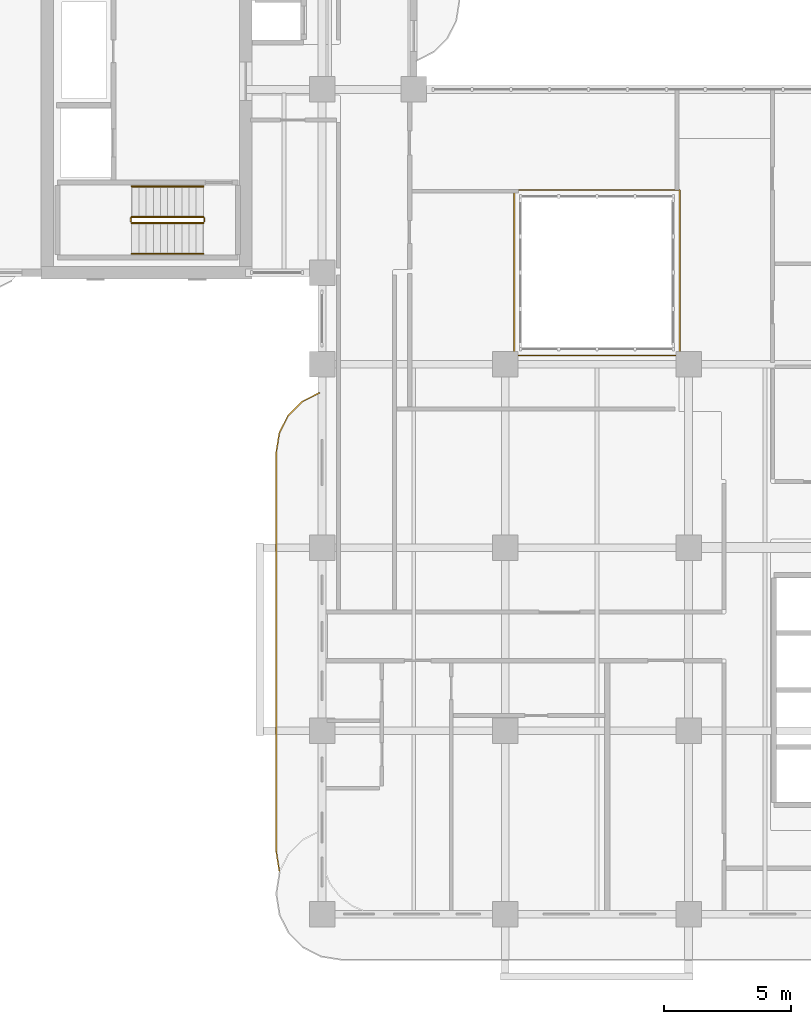
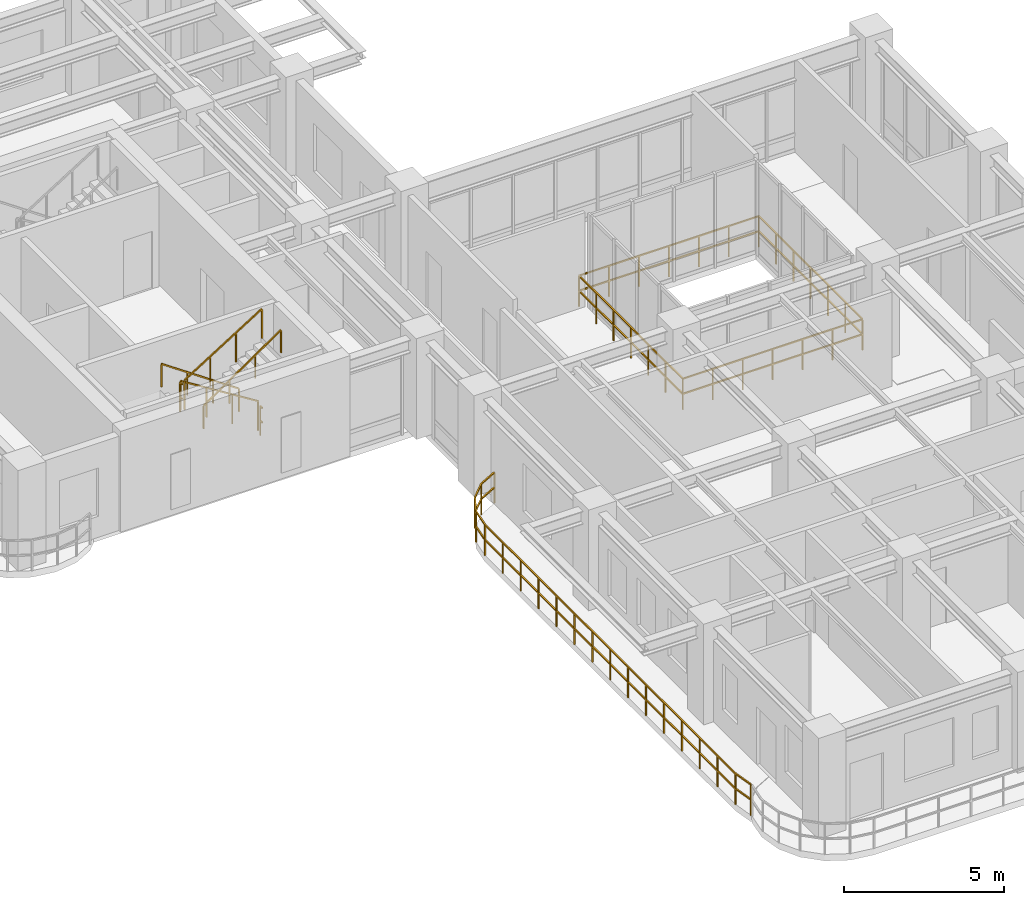
# One storey, part 16 of 19: 8 railings.
"""IFC4 building model written with IfcOpenShell, lengths in metres."""

from ifc_helpers import new_model, si_unit, derived_unit, direction, frame, origin, origin_2d, place, context, subcontext, project, spatial, rectangle, extrude, material, type_object, element, save


model = new_model("IFC4")

# Units and contexts
model_context = context("Model", 3, precision=1e-05, world=origin(), true_north=direction((0.0, 1.0)))
body_context = subcontext(model_context, "Body", "Model", "MODEL_VIEW")
ifc_project = project(units=[si_unit("LENGTHUNIT", "METRE"), si_unit("AREAUNIT", "SQUARE_METRE"), si_unit("VOLUMEUNIT", "CUBIC_METRE"), si_unit("PLANEANGLEUNIT", "RADIAN"), si_unit("MASSUNIT", "GRAM", prefix="KILO"), si_unit("THERMODYNAMICTEMPERATUREUNIT", "KELVIN"), si_unit("POWERUNIT", "WATT"), derived_unit("THERMALTRANSMITTANCEUNIT", [(si_unit("POWERUNIT", "WATT"), 1), (si_unit("AREAUNIT", "SQUARE_METRE"), -1), (si_unit("THERMODYNAMICTEMPERATUREUNIT", "KELVIN"), -1)])], contexts=[model_context])

# Site, building, storey
site_placement = place(None, origin())
site = spatial("IfcSite", under=ifc_project, at=site_placement, CompositionType="ELEMENT")
building_placement = place(site_placement, origin())
building = spatial("IfcBuilding", under=site, at=building_placement, Name="Zahravan Archway Hotel and Residences", CompositionType="ELEMENT")
storey_placement = place(building_placement, frame((0.0, 0.0, 150.300048828125)))
storey = spatial("IfcBuildingStorey", under=building, at=storey_placement, Name="L37", CompositionType="ELEMENT", Elevation=150.300048828125)

# Railings
ifc_material_1 = material(Name="Atrium Laminated Glass Guardrail", Category="glass")
railing_type_1 = type_object("IfcRailingType", Name="RL-ATR-1200", PredefinedType="BALUSTRADE", material=ifc_material_1)
railing_1_placement = place(storey_placement, frame((21.949951171875, 21.949951171875, 0.0)))
element("IfcRailing", 1, at=railing_1_placement, inside=storey, type_object=railing_type_1, Name="L37 Balustrade RL-ATR-L37", PredefinedType="BALUSTRADE", context=body_context, shape_type="SweptSolid", body=[
    extrude(rectangle(XDim=0.048095703125, YDim=0.048095703125, at=origin_2d()), frame((0.0, 0.0, 1.17578125), z_axis=(1.0, 0.0, 0.0), x_axis=(0.0, 1.0, 0.0)), (0.0, 0.0, 1.0), 6.5),
    extrude(rectangle(XDim=0.048095703125, YDim=0.048095703125, at=origin_2d()), frame((0.0, 0.0, 0.60009765625), z_axis=(1.0, 0.0, 0.0), x_axis=(0.0, 1.0, 0.0)), (0.0, 0.0, 1.0), 6.5),
    extrude(rectangle(XDim=0.048095703125, YDim=0.048095703125, at=origin_2d()), frame((6.5, 0.0, 1.17578125), z_axis=(0.0, 1.0, 0.0), x_axis=(-1.0, 0.0, 0.0)), (0.0, 0.0, 1.0), 6.5),
    extrude(rectangle(XDim=0.048095703125, YDim=0.048095703125, at=origin_2d()), frame((6.5, 0.0, 0.60009765625), z_axis=(0.0, 1.0, 0.0), x_axis=(-1.0, 0.0, 0.0)), (0.0, 0.0, 1.0), 6.5),
    extrude(rectangle(XDim=0.048095703125, YDim=0.048095703125, at=origin_2d()), frame((6.5, 6.5, 1.17578125), z_axis=(-1.0, 0.0, 0.0), x_axis=(0.0, -1.0, 0.0)), (0.0, 0.0, 1.0), 6.5),
    extrude(rectangle(XDim=0.048095703125, YDim=0.048095703125, at=origin_2d()), frame((6.5, 6.5, 0.60009765625), z_axis=(-1.0, 0.0, 0.0), x_axis=(0.0, -1.0, 0.0)), (0.0, 0.0, 1.0), 6.5),
    extrude(rectangle(XDim=0.048095703125, YDim=0.048095703125, at=origin_2d()), frame((0.0, 6.5, 1.17578125), z_axis=(0.0, -1.0, 0.0), x_axis=(1.0, 0.0, 0.0)), (0.0, 0.0, 1.0), 6.5),
    extrude(rectangle(XDim=0.048095703125, YDim=0.048095703125, at=origin_2d()), frame((0.0, 6.5, 0.60009765625), z_axis=(0.0, -1.0, 0.0), x_axis=(1.0, 0.0, 0.0)), (0.0, 0.0, 1.0), 6.5),
    extrude(rectangle(XDim=0.0419921875, YDim=0.0419921875, at=origin_2d()), origin(), (0.0, 0.0, 1.0), 1.15185546875),
    extrude(rectangle(XDim=0.0419921875, YDim=0.0419921875, at=origin_2d()), frame((1.083251953125, 0.0, 0.0)), (0.0, 0.0, 1.0), 1.15185546875),
    extrude(rectangle(XDim=0.0419921875, YDim=0.0419921875, at=origin_2d()), frame((2.166748046875, 0.0, 0.0)), (0.0, 0.0, 1.0), 1.15185546875),
    extrude(rectangle(XDim=0.0419921875, YDim=0.0419921875, at=origin_2d()), frame((3.25, 0.0, 0.0)), (0.0, 0.0, 1.0), 1.15185546875),
    extrude(rectangle(XDim=0.0419921875, YDim=0.0419921875, at=origin_2d()), frame((4.333251953125, 0.0, 0.0)), (0.0, 0.0, 1.0), 1.15185546875),
    extrude(rectangle(XDim=0.0419921875, YDim=0.0419921875, at=origin_2d()), frame((5.416748046875, 0.0, 0.0)), (0.0, 0.0, 1.0), 1.15185546875),
    extrude(rectangle(XDim=0.0419921875, YDim=0.0419921875, at=origin_2d()), frame((6.5, 0.0, 0.0)), (0.0, 0.0, 1.0), 1.15185546875),
    extrude(rectangle(XDim=0.0419921875, YDim=0.0419921875, at=origin_2d()), frame((6.5, 1.083251953125, 0.0)), (0.0, 0.0, 1.0), 1.15185546875),
    extrude(rectangle(XDim=0.0419921875, YDim=0.0419921875, at=origin_2d()), frame((6.5, 2.166748046875, 0.0)), (0.0, 0.0, 1.0), 1.15185546875),
    extrude(rectangle(XDim=0.0419921875, YDim=0.0419921875, at=origin_2d()), frame((6.5, 3.25, 0.0)), (0.0, 0.0, 1.0), 1.15185546875),
    extrude(rectangle(XDim=0.0419921875, YDim=0.0419921875, at=origin_2d()), frame((6.5, 4.333251953125, 0.0)), (0.0, 0.0, 1.0), 1.15185546875),
    extrude(rectangle(XDim=0.0419921875, YDim=0.0419921875, at=origin_2d()), frame((6.5, 5.416748046875, 0.0)), (0.0, 0.0, 1.0), 1.15185546875),
    extrude(rectangle(XDim=0.0419921875, YDim=0.0419921875, at=origin_2d()), frame((6.5, 6.5, 0.0)), (0.0, 0.0, 1.0), 1.15185546875),
    extrude(rectangle(XDim=0.0419921875, YDim=0.0419921875, at=origin_2d()), frame((5.416748046875, 6.5, 0.0)), (0.0, 0.0, 1.0), 1.15185546875),
    extrude(rectangle(XDim=0.0419921875, YDim=0.0419921875, at=origin_2d()), frame((4.333251953125, 6.5, 0.0)), (0.0, 0.0, 1.0), 1.15185546875),
    extrude(rectangle(XDim=0.0419921875, YDim=0.0419921875, at=origin_2d()), frame((3.25, 6.5, 0.0)), (0.0, 0.0, 1.0), 1.15185546875),
    extrude(rectangle(XDim=0.0419921875, YDim=0.0419921875, at=origin_2d()), frame((2.166748046875, 6.5, 0.0)), (0.0, 0.0, 1.0), 1.15185546875),
    extrude(rectangle(XDim=0.0419921875, YDim=0.0419921875, at=origin_2d()), frame((1.083251953125, 6.5, 0.0)), (0.0, 0.0, 1.0), 1.15185546875),
    extrude(rectangle(XDim=0.0419921875, YDim=0.0419921875, at=origin_2d()), frame((0.0, 6.5, 0.0)), (0.0, 0.0, 1.0), 1.15185546875),
    extrude(rectangle(XDim=0.0419921875, YDim=0.0419921875, at=origin_2d()), frame((0.0, 5.416748046875, 0.0)), (0.0, 0.0, 1.0), 1.15185546875),
    extrude(rectangle(XDim=0.0419921875, YDim=0.0419921875, at=origin_2d()), frame((0.0, 4.333251953125, 0.0)), (0.0, 0.0, 1.0), 1.15185546875),
    extrude(rectangle(XDim=0.0419921875, YDim=0.0419921875, at=origin_2d()), frame((0.0, 3.25, 0.0)), (0.0, 0.0, 1.0), 1.15185546875),
    extrude(rectangle(XDim=0.0419921875, YDim=0.0419921875, at=origin_2d()), frame((0.0, 2.166748046875, 0.0)), (0.0, 0.0, 1.0), 1.15185546875),
    extrude(rectangle(XDim=0.0419921875, YDim=0.0419921875, at=origin_2d()), frame((0.0, 1.083251953125, 0.0)), (0.0, 0.0, 1.0), 1.15185546875),
])
ifc_material_2 = material(Name="Bronze & Laminated Glass Balustrade", Category="glass")
railing_type_2 = type_object("IfcRailingType", Name="RL-BAL-1200", PredefinedType="BALUSTRADE", material=ifc_material_2)
railing_2_placement = place(storey_placement, frame((12.719970703125, 1.69287109375, 0.0)))
element("IfcRailing", 2, at=railing_2_placement, inside=storey, type_object=railing_type_2, Name="L37 Balustrade RL-SLB-BAL-L37-WA-1", PredefinedType="BALUSTRADE", context=body_context, shape_type="SweptSolid", body=[
    extrude(rectangle(XDim=0.048095703125, YDim=0.048095703125, at=origin_2d()), frame((0.0, 0.0, 1.17578125), z_axis=(-0.156387811283, 0.987695728695, 0.0), x_axis=(-0.987695728695, -0.156387811283, 0.0)), (0.0, 0.0, 1.0), 0.7666015625),
    extrude(rectangle(XDim=0.048095703125, YDim=0.048095703125, at=origin_2d()), frame((0.0, 0.0, 0.60009765625), z_axis=(-0.156387811283, 0.987695728695, 0.0), x_axis=(-0.987695728695, -0.156387811283, 0.0)), (0.0, 0.0, 1.0), 0.7666015625),
    extrude(rectangle(XDim=0.048095703125, YDim=0.048095703125, at=origin_2d()), frame((-0.119873046875, 0.757080078125, 1.17578125), z_axis=(0.0, 1.0, 0.0), x_axis=(-1.0, 0.0, 0.0)), (0.0, 0.0, 1.0), 15.699951171875),
    extrude(rectangle(XDim=0.048095703125, YDim=0.048095703125, at=origin_2d()), frame((-0.119873046875, 0.757080078125, 0.60009765625), z_axis=(0.0, 1.0, 0.0), x_axis=(-1.0, 0.0, 0.0)), (0.0, 0.0, 1.0), 15.699951171875),
    extrude(rectangle(XDim=0.048095703125, YDim=0.048095703125, at=origin_2d()), frame((-0.119873046875, 16.45703125, 1.17578125), z_axis=(0.156387811283, 0.987695728695, 0.0), x_axis=(-0.987695728695, 0.156387811283, 0.0)), (0.0, 0.0, 1.0), 0.7666015625),
    extrude(rectangle(XDim=0.048095703125, YDim=0.048095703125, at=origin_2d()), frame((-0.119873046875, 16.45703125, 0.60009765625), z_axis=(0.156387811283, 0.987695728695, 0.0), x_axis=(-0.987695728695, 0.156387811283, 0.0)), (0.0, 0.0, 1.0), 0.7666015625),
    extrude(rectangle(XDim=0.048095703125, YDim=0.048095703125, at=origin_2d()), frame((0.0, 17.214111328125, 1.17578125), z_axis=(0.453825591531, 0.891090529897, 0.0), x_axis=(-0.891090529897, 0.453825591531, 0.0)), (0.0, 0.0, 1.0), 0.7666015625),
    extrude(rectangle(XDim=0.048095703125, YDim=0.048095703125, at=origin_2d()), frame((0.0, 17.214111328125, 0.60009765625), z_axis=(0.453825591531, 0.891090529897, 0.0), x_axis=(-0.891090529897, 0.453825591531, 0.0)), (0.0, 0.0, 1.0), 0.7666015625),
    extrude(rectangle(XDim=0.048095703125, YDim=0.048095703125, at=origin_2d()), frame((0.347900390625, 17.897216796875, 1.17578125), z_axis=(0.707106781187, 0.707106781187, 0.0), x_axis=(-0.707106781187, 0.707106781187, 0.0)), (0.0, 0.0, 1.0), 0.7666015625),
    extrude(rectangle(XDim=0.048095703125, YDim=0.048095703125, at=origin_2d()), frame((0.347900390625, 17.897216796875, 0.60009765625), z_axis=(0.707106781187, 0.707106781187, 0.0), x_axis=(-0.707106781187, 0.707106781187, 0.0)), (0.0, 0.0, 1.0), 0.7666015625),
    extrude(rectangle(XDim=0.048095703125, YDim=0.048095703125, at=origin_2d()), frame((0.889892578125, 18.439208984375, 1.17578125), z_axis=(0.891090529897, 0.453825591531, 0.0), x_axis=(-0.453825591531, 0.891090529897, 0.0)), (0.0, 0.0, 1.0), 0.7666015625),
    extrude(rectangle(XDim=0.048095703125, YDim=0.048095703125, at=origin_2d()), frame((0.889892578125, 18.439208984375, 0.60009765625), z_axis=(0.891090529897, 0.453825591531, 0.0), x_axis=(-0.453825591531, 0.891090529897, 0.0)), (0.0, 0.0, 1.0), 0.7666015625),
    extrude(rectangle(XDim=0.0419921875, YDim=0.0419921875, at=origin_2d()), origin(), (0.0, 0.0, 1.0), 1.15185546875),
    extrude(rectangle(XDim=0.0419921875, YDim=0.0419921875, at=origin_2d()), frame((-0.119873046875, 0.757080078125, 0.0)), (0.0, 0.0, 1.0), 1.15185546875),
    extrude(rectangle(XDim=0.0419921875, YDim=0.0419921875, at=origin_2d()), frame((-0.119873046875, 1.87841796875, 0.0)), (0.0, 0.0, 1.0), 1.15185546875),
    extrude(rectangle(XDim=0.0419921875, YDim=0.0419921875, at=origin_2d()), frame((-0.119873046875, 3.0, 0.0)), (0.0, 0.0, 1.0), 1.15185546875),
    extrude(rectangle(XDim=0.0419921875, YDim=0.0419921875, at=origin_2d()), frame((-0.119873046875, 4.121337890625, 0.0)), (0.0, 0.0, 1.0), 1.15185546875),
    extrude(rectangle(XDim=0.0419921875, YDim=0.0419921875, at=origin_2d()), frame((-0.119873046875, 5.24267578125, 0.0)), (0.0, 0.0, 1.0), 1.15185546875),
    extrude(rectangle(XDim=0.0419921875, YDim=0.0419921875, at=origin_2d()), frame((-0.119873046875, 6.3642578125, 0.0)), (0.0, 0.0, 1.0), 1.15185546875),
    extrude(rectangle(XDim=0.0419921875, YDim=0.0419921875, at=origin_2d()), frame((-0.119873046875, 7.485595703125, 0.0)), (0.0, 0.0, 1.0), 1.15185546875),
    extrude(rectangle(XDim=0.0419921875, YDim=0.0419921875, at=origin_2d()), frame((-0.119873046875, 8.60693359375, 0.0)), (0.0, 0.0, 1.0), 1.15185546875),
    extrude(rectangle(XDim=0.0419921875, YDim=0.0419921875, at=origin_2d()), frame((-0.119873046875, 9.728515625, 0.0)), (0.0, 0.0, 1.0), 1.15185546875),
    extrude(rectangle(XDim=0.0419921875, YDim=0.0419921875, at=origin_2d()), frame((-0.119873046875, 10.849853515625, 0.0)), (0.0, 0.0, 1.0), 1.15185546875),
    extrude(rectangle(XDim=0.0419921875, YDim=0.0419921875, at=origin_2d()), frame((-0.119873046875, 11.971435546875, 0.0)), (0.0, 0.0, 1.0), 1.15185546875),
    extrude(rectangle(XDim=0.0419921875, YDim=0.0419921875, at=origin_2d()), frame((-0.119873046875, 13.0927734375, 0.0)), (0.0, 0.0, 1.0), 1.15185546875),
    extrude(rectangle(XDim=0.0419921875, YDim=0.0419921875, at=origin_2d()), frame((-0.119873046875, 14.214111328125, 0.0)), (0.0, 0.0, 1.0), 1.15185546875),
    extrude(rectangle(XDim=0.0419921875, YDim=0.0419921875, at=origin_2d()), frame((-0.119873046875, 15.335693359375, 0.0)), (0.0, 0.0, 1.0), 1.15185546875),
    extrude(rectangle(XDim=0.0419921875, YDim=0.0419921875, at=origin_2d()), frame((-0.119873046875, 16.45703125, 0.0)), (0.0, 0.0, 1.0), 1.15185546875),
    extrude(rectangle(XDim=0.0419921875, YDim=0.0419921875, at=origin_2d()), frame((0.0, 17.214111328125, 0.0)), (0.0, 0.0, 1.0), 1.15185546875),
    extrude(rectangle(XDim=0.0419921875, YDim=0.0419921875, at=origin_2d()), frame((0.347900390625, 17.897216796875, 0.0)), (0.0, 0.0, 1.0), 1.15185546875),
    extrude(rectangle(XDim=0.0419921875, YDim=0.0419921875, at=origin_2d()), frame((0.889892578125, 18.439208984375, 0.0)), (0.0, 0.0, 1.0), 1.15185546875),
    extrude(rectangle(XDim=0.0419921875, YDim=0.0419921875, at=origin_2d()), frame((1.572998046875, 18.787109375, 0.0)), (0.0, 0.0, 1.0), 1.15185546875),
])
ifc_material_3 = material(Name="Painted Tubular Steel", Category="steel")
railing_type_3 = type_object("IfcRailingType", Name="RL-STG-1150", PredefinedType="GUARDRAIL", material=ifc_material_3)
railing_3_placement = place(storey_placement, frame((9.72998046875, 27.389892578125, 0.175048828125)))
element("IfcRailing", 3, at=railing_3_placement, inside=storey, type_object=railing_type_3, Name="L37 ST-B1 stair guard 1", PredefinedType="GUARDRAIL", context=body_context, shape_type="SweptSolid", body=[
    extrude(rectangle(XDim=0.048095703125, YDim=0.048095703125, at=origin_2d()), frame((0.0, 0.0, 1.1259765625), z_axis=(-0.848002457836, 0.0, 0.529992293815), x_axis=(0.0, -1.0, 0.0)), (0.0, 0.0, 1.0), 3.302001953125),
    extrude(rectangle(XDim=0.0419921875, YDim=0.0419921875, at=origin_2d()), origin(), (0.0, 0.0, 1.0), 1.101806640625),
    extrude(rectangle(XDim=0.0419921875, YDim=0.0419921875, at=origin_2d()), frame((-0.933349609375, 0.0, 0.583251953125)), (0.0, 0.0, 1.0), 1.101806640625),
    extrude(rectangle(XDim=0.0419921875, YDim=0.0419921875, at=origin_2d()), frame((-1.86669921875, 0.0, 1.166748046875)), (0.0, 0.0, 1.0), 1.101806640625),
    extrude(rectangle(XDim=0.0419921875, YDim=0.0419921875, at=origin_2d()), frame((-2.800048828125, 0.0, 1.75)), (0.0, 0.0, 1.0), 1.101806640625),
])
railing_4_placement = place(storey_placement, frame((6.8798828125, 27.340087890625, 1.925048828125)))
element("IfcRailing", 4, at=railing_4_placement, inside=storey, type_object=railing_type_3, Name="L37 ST-B1 stair guard 2", PredefinedType="GUARDRAIL", context=body_context, shape_type="SweptSolid", body=[
    extrude(rectangle(XDim=0.048095703125, YDim=0.048095703125, at=origin_2d()), frame((0.0, 0.0, 1.1259765625), z_axis=(0.0, -1.0, 0.0), x_axis=(1.0, 0.0, 0.0)), (0.0, 0.0, 1.0), 0.14013671875),
    extrude(rectangle(XDim=0.048095703125, YDim=0.048095703125, at=origin_2d()), frame((0.0, 0.0, 0.574951171875), z_axis=(0.0, -1.0, 0.0), x_axis=(1.0, 0.0, 0.0)), (0.0, 0.0, 1.0), 0.14013671875),
    extrude(rectangle(XDim=0.0419921875, YDim=0.0419921875, at=origin_2d()), origin(), (0.0, 0.0, 1.0), 1.101806640625),
])
railing_5_placement = place(storey_placement, frame((6.929931640625, 27.14990234375, 2.099853515625)))
element("IfcRailing", 5, at=railing_5_placement, inside=storey, type_object=railing_type_3, Name="L37 ST-B1 stair guard 3", PredefinedType="GUARDRAIL", context=body_context, shape_type="SweptSolid", body=[
    extrude(rectangle(XDim=0.048095703125, YDim=0.048095703125, at=origin_2d()), frame((0.0, 0.0, 1.1259765625), z_axis=(0.848002457836, 0.0, 0.529992293815), x_axis=(0.0, 1.0, 0.0)), (0.0, 0.0, 1.0), 3.302001953125),
    extrude(rectangle(XDim=0.0419921875, YDim=0.0419921875, at=origin_2d()), origin(), (0.0, 0.0, 1.0), 1.101806640625),
    extrude(rectangle(XDim=0.0419921875, YDim=0.0419921875, at=origin_2d()), frame((0.933349609375, 0.0, 0.583251953125)), (0.0, 0.0, 1.0), 1.101806640625),
    extrude(rectangle(XDim=0.0419921875, YDim=0.0419921875, at=origin_2d()), frame((1.86669921875, 0.0, 1.166748046875)), (0.0, 0.0, 1.0), 1.101806640625),
    extrude(rectangle(XDim=0.0419921875, YDim=0.0419921875, at=origin_2d()), frame((2.800048828125, 0.0, 1.75)), (0.0, 0.0, 1.0), 1.101806640625),
])
railing_6_placement = place(storey_placement, frame((9.780029296875, 27.340087890625, 0.0)))
element("IfcRailing", 6, at=railing_6_placement, inside=storey, type_object=railing_type_3, Name="L37 ST-B1 stair guard 4", PredefinedType="GUARDRAIL", context=body_context, shape_type="SweptSolid", body=[
    extrude(rectangle(XDim=0.048095703125, YDim=0.048095703125, at=origin_2d()), frame((0.0, 0.0, 1.1259765625), z_axis=(0.0, -1.0, 0.0), x_axis=(1.0, 0.0, 0.0)), (0.0, 0.0, 1.0), 0.14013671875),
    extrude(rectangle(XDim=0.048095703125, YDim=0.048095703125, at=origin_2d()), frame((0.0, 0.0, 0.574951171875), z_axis=(0.0, -1.0, 0.0), x_axis=(1.0, 0.0, 0.0)), (0.0, 0.0, 1.0), 0.14013671875),
    extrude(rectangle(XDim=0.0419921875, YDim=0.0419921875, at=origin_2d()), origin(), (0.0, 0.0, 1.0), 1.101806640625),
])
ifc_material_4 = material(Name="Brushed Stainless Steel", Category="steel")
railing_type_4 = type_object("IfcRailingType", Name="RL-STH-900", PredefinedType="HANDRAIL", material=ifc_material_4)
railing_7_placement = place(storey_placement, frame((9.72998046875, 28.590087890625, 0.175048828125)))
element("IfcRailing", 7, at=railing_7_placement, inside=storey, type_object=railing_type_4, Name="L37 ST-B1 stair handrail 1", PredefinedType="HANDRAIL", context=body_context, shape_type="SweptSolid", body=[
    extrude(rectangle(XDim=0.048095703125, YDim=0.048095703125, at=origin_2d()), frame((0.0, 0.0, 0.8759765625), z_axis=(-0.824073370198, 0.0, 0.566483080534), x_axis=(0.0, -1.0, 0.0)), (0.0, 0.0, 1.0), 3.397705078125),
    extrude(rectangle(XDim=0.0419921875, YDim=0.0419921875, at=origin_2d()), origin(), (0.0, 0.0, 1.0), 0.851806640625),
    extrude(rectangle(XDim=0.0419921875, YDim=0.0419921875, at=origin_2d()), frame((-0.933349609375, 0.0, 0.6416015625)), (0.0, 0.0, 1.0), 0.851806640625),
    extrude(rectangle(XDim=0.0419921875, YDim=0.0419921875, at=origin_2d()), frame((-1.86669921875, 0.0, 1.283203125)), (0.0, 0.0, 1.0), 0.851806640625),
    extrude(rectangle(XDim=0.0419921875, YDim=0.0419921875, at=origin_2d()), frame((-2.800048828125, 0.0, 1.9248046875)), (0.0, 0.0, 1.0), 0.851806640625),
])
railing_8_placement = place(storey_placement, frame((6.929931640625, 25.949951171875, 2.099853515625)))
element("IfcRailing", 8, at=railing_8_placement, inside=storey, type_object=railing_type_4, Name="L37 ST-B1 stair handrail 2", PredefinedType="HANDRAIL", context=body_context, shape_type="SweptSolid", body=[
    extrude(rectangle(XDim=0.048095703125, YDim=0.048095703125, at=origin_2d()), frame((0.0, 0.0, 0.8759765625), z_axis=(0.824039827795, 0.0, 0.566531872191), x_axis=(0.0, 1.0, 0.0)), (0.0, 0.0, 1.0), 3.39794921875),
    extrude(rectangle(XDim=0.0419921875, YDim=0.0419921875, at=origin_2d()), origin(), (0.0, 0.0, 1.0), 0.851806640625),
    extrude(rectangle(XDim=0.0419921875, YDim=0.0419921875, at=origin_2d()), frame((0.933349609375, 0.0, 0.6416015625)), (0.0, 0.0, 1.0), 0.851806640625),
    extrude(rectangle(XDim=0.0419921875, YDim=0.0419921875, at=origin_2d()), frame((1.86669921875, 0.0, 1.283447265625)), (0.0, 0.0, 1.0), 0.851806640625),
    extrude(rectangle(XDim=0.0419921875, YDim=0.0419921875, at=origin_2d()), frame((2.800048828125, 0.0, 1.925048828125)), (0.0, 0.0, 1.0), 0.851806640625),
])

save(model, "model.ifc")
